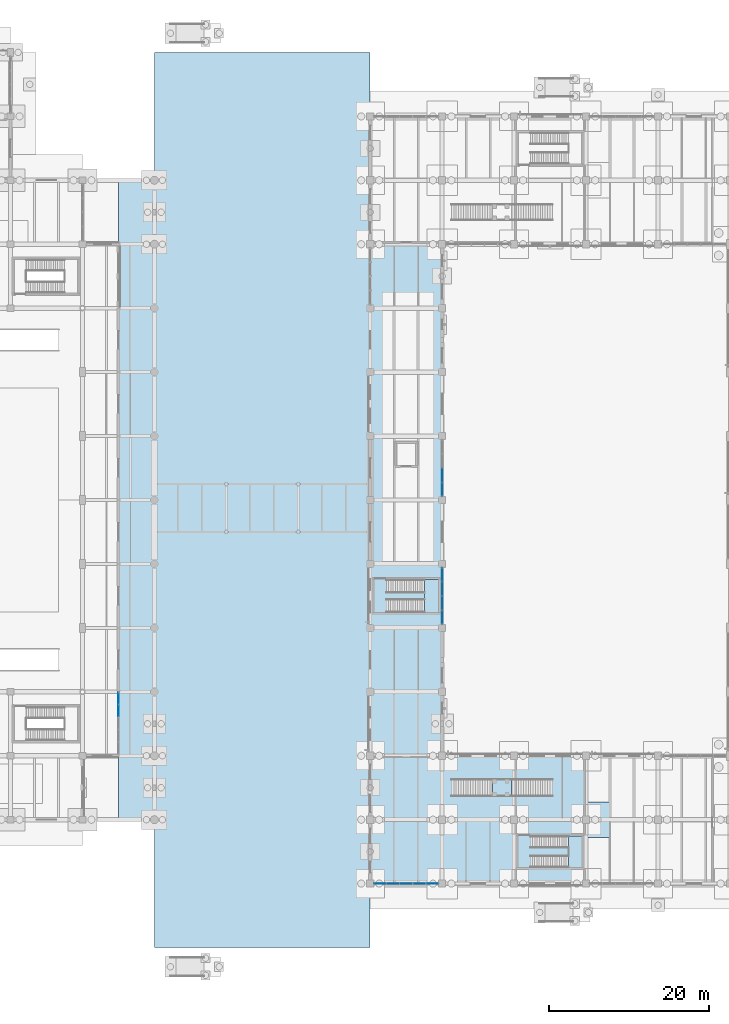
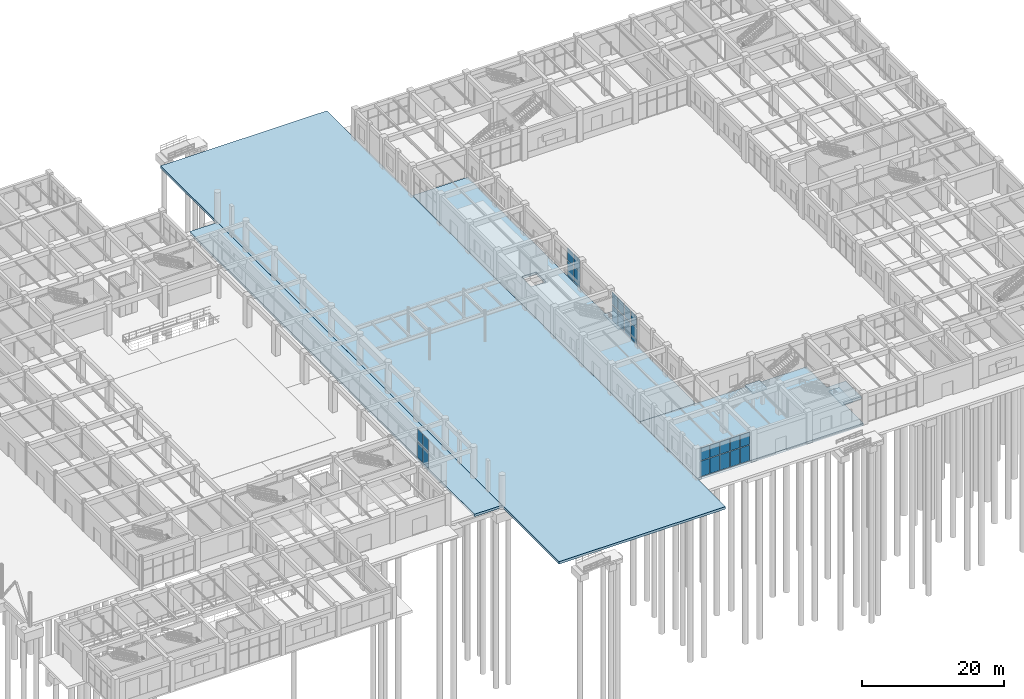
# One storey, part 83 of 121: 26 plates, 7 slabs, 7 elements without a shape of their own.
"""IFC4 building model written with IfcOpenShell, lengths in metres."""

from ifc_helpers import new_model, si_unit, derived_unit, direction, frame, origin, origin_2d, place, context, subcontext, project, spatial, polyline, rectangle, outline, extrude, material, layer, layer_set, type_object, element, aggregate, save


model = new_model("IFC4")

# Units and contexts
model_context = context("Model", 3, precision=1e-05, world=origin(), true_north=direction((0.0, 1.0)))
body_context = subcontext(model_context, "Body", "Model", "MODEL_VIEW")
ifc_project = project(units=[si_unit("LENGTHUNIT", "METRE"), si_unit("AREAUNIT", "SQUARE_METRE"), si_unit("VOLUMEUNIT", "CUBIC_METRE"), si_unit("PLANEANGLEUNIT", "RADIAN"), si_unit("MASSUNIT", "GRAM", prefix="KILO"), derived_unit("THERMALTRANSMITTANCEUNIT", [(si_unit("MASSUNIT", "GRAM", prefix="KILO"), 1), (si_unit("TIMEUNIT", "SECOND"), -3), (si_unit("THERMODYNAMICTEMPERATUREUNIT", "KELVIN"), -1)])], contexts=[model_context])

# Site, building, storey
site_placement = place(None, origin())
site = spatial("IfcSite", under=ifc_project, at=site_placement, CompositionType="ELEMENT")
building_placement = place(site_placement, origin())
building = spatial("IfcBuilding", under=site, at=building_placement, Name="Zhenchuan Archway Interchange", CompositionType="ELEMENT")
storey_placement = place(building_placement, origin())
storey = spatial("IfcBuildingStorey", under=building, at=storey_placement, Name="L00", CompositionType="ELEMENT", Elevation=0.0)

# Curtain wall, plates
ifc_material_1 = material(Name="Anodised Aluminium", Category="aluminium")
curtain_wall_type_1 = type_object("IfcCurtainWallType", Name="CW_UNIT_1", PredefinedType="NOTDEFINED", material=ifc_material_1)
curtain_wall_1_placement = place(storey_placement, origin())
curtain_wall_1 = element("IfcCurtainWall", 1, at=curtain_wall_1_placement, inside=storey, type_object=curtain_wall_type_1, Name="Unitised curtain wall CW:L00:008", PredefinedType="NOTDEFINED")
ifc_material_2 = material(Name="Double Low-E Insulated Glazing", Category="glass")
ifc_layer_1 = layer(ifc_material_2, 0.031982421875)
ifc_layer_set_1 = layer_set([ifc_layer_1], Name="Double Low-E Insulated Glazing")
plate_type_1 = type_object("IfcPlateType", Name="CW_GLZ_5", PredefinedType="CURTAIN_PANEL", material=ifc_layer_set_1)
plate_1_placement = place(storey_placement, frame((67.5, 31.2080078125, 0.080078125), z_axis=(0.0, 0.0, 1.0), x_axis=(0.0, -1.0, 0.0)))
plate_1 = element("IfcPlate", 2, at=plate_1_placement, type_object=plate_type_1, Name="CW:L00:008 lower glazing panel 0", PredefinedType="CURTAIN_PANEL", context=body_context, shape_type="SweptSolid", body=[
    extrude(rectangle(XDim=1.404052734375, YDim=0.028076171875, at=origin_2d()), origin(), (0.0, 0.0, 1.0), 2.64306640625),
])
plate_2_placement = place(storey_placement, frame((67.5, 29.654052734375, 0.080078125), z_axis=(0.0, 0.0, 1.0), x_axis=(0.0, -1.0, 0.0)))
plate_2 = element("IfcPlate", 3, at=plate_2_placement, type_object=plate_type_1, Name="CW:L00:008 lower glazing panel 1", PredefinedType="CURTAIN_PANEL", context=body_context, shape_type="SweptSolid", body=[
    extrude(rectangle(XDim=1.424072265625, YDim=0.028076171875, at=origin_2d()), origin(), (0.0, 0.0, 1.0), 2.64306640625),
])

curtain_wall_type_2 = type_object("IfcCurtainWallType", Name="CW_UNIT_3", PredefinedType="NOTDEFINED", material=ifc_material_1)
curtain_wall_2_placement = place(storey_placement, origin())
curtain_wall_2 = element("IfcCurtainWall", 4, at=curtain_wall_2_placement, inside=storey, type_object=curtain_wall_type_2, Name="Unitised curtain wall CW:L00:018", PredefinedType="NOTDEFINED")
plate_3_placement = place(storey_placement, frame((106.755615234375, 8.0, 0.080078125), z_axis=(0.0, 0.0, 1.0), x_axis=(-1.0, 0.0, 0.0)))
plate_3 = element("IfcPlate", 5, at=plate_3_placement, type_object=plate_type_1, Name="CW:L00:018 lower glazing panel 0", PredefinedType="CURTAIN_PANEL", context=body_context, shape_type="SweptSolid", body=[
    extrude(rectangle(XDim=1.472900390625, YDim=0.028076171875, at=origin_2d()), origin(), (0.0, 0.0, 1.0), 2.64306640625),
])
plate_4_placement = place(storey_placement, frame((105.1328125, 8.0, 0.080078125), z_axis=(0.0, 0.0, 1.0), x_axis=(-1.0, 0.0, 0.0)))
plate_4 = element("IfcPlate", 6, at=plate_4_placement, type_object=plate_type_1, Name="CW:L00:018 lower glazing panel 1", PredefinedType="CURTAIN_PANEL", context=body_context, shape_type="SweptSolid", body=[
    extrude(rectangle(XDim=1.492919921875, YDim=0.028076171875, at=origin_2d()), origin(), (0.0, 0.0, 1.0), 2.64306640625),
])
plate_5_placement = place(storey_placement, frame((103.5, 8.0, 0.080078125), z_axis=(0.0, 0.0, 1.0), x_axis=(-1.0, 0.0, 0.0)))
plate_5 = element("IfcPlate", 7, at=plate_5_placement, type_object=plate_type_1, Name="CW:L00:018 lower glazing panel 2", PredefinedType="CURTAIN_PANEL", context=body_context, shape_type="SweptSolid", body=[
    extrude(rectangle(XDim=1.492919921875, YDim=0.028076171875, at=origin_2d()), origin(), (0.0, 0.0, 1.0), 2.64306640625),
])
plate_6_placement = place(storey_placement, frame((101.8671875, 8.0, 0.080078125), z_axis=(0.0, 0.0, 1.0), x_axis=(-1.0, 0.0, 0.0)))
plate_6 = element("IfcPlate", 8, at=plate_6_placement, type_object=plate_type_1, Name="CW:L00:018 lower glazing panel 3", PredefinedType="CURTAIN_PANEL", context=body_context, shape_type="SweptSolid", body=[
    extrude(rectangle(XDim=1.492919921875, YDim=0.028076171875, at=origin_2d()), origin(), (0.0, 0.0, 1.0), 2.64306640625),
])
plate_7_placement = place(storey_placement, frame((100.244384765625, 8.0, 0.080078125), z_axis=(0.0, 0.0, 1.0), x_axis=(-1.0, 0.0, 0.0)))
plate_7 = element("IfcPlate", 9, at=plate_7_placement, type_object=plate_type_1, Name="CW:L00:018 lower glazing panel 4", PredefinedType="CURTAIN_PANEL", context=body_context, shape_type="SweptSolid", body=[
    extrude(rectangle(XDim=1.472900390625, YDim=0.028076171875, at=origin_2d()), origin(), (0.0, 0.0, 1.0), 2.64306640625),
])

curtain_wall_type_3 = type_object("IfcCurtainWallType", Name="CW_UNIT_2", PredefinedType="NOTDEFINED", material=ifc_material_1)
curtain_wall_3_placement = place(storey_placement, origin())
curtain_wall_3 = element("IfcCurtainWall", 10, at=curtain_wall_3_placement, inside=storey, type_object=curtain_wall_type_3, Name="Unitised curtain wall CW:L00:025", PredefinedType="NOTDEFINED")
plate_8_placement = place(storey_placement, frame((108.0, 59.1044921875, 0.080078125), z_axis=(0.0, 0.0, 1.0), x_axis=(0.0, -1.0, 0.0)))
plate_8 = element("IfcPlate", 11, at=plate_8_placement, type_object=plate_type_1, Name="CW:L00:025 lower glazing panel 2", PredefinedType="CURTAIN_PANEL", context=body_context, shape_type="SweptSolid", body=[
    extrude(rectangle(XDim=1.65087890625, YDim=0.028076171875, at=origin_2d()), origin(), (0.0, 0.0, 1.0), 2.64306640625),
])
plate_9_placement = place(storey_placement, frame((108.0, 57.323486328125, 0.080078125), z_axis=(0.0, 0.0, 1.0), x_axis=(0.0, -1.0, 0.0)))
plate_9 = element("IfcPlate", 12, at=plate_9_placement, type_object=plate_type_1, Name="CW:L00:025 lower glazing panel 3", PredefinedType="CURTAIN_PANEL", context=body_context, shape_type="SweptSolid", body=[
    extrude(rectangle(XDim=1.631103515625, YDim=0.028076171875, at=origin_2d()), origin(), (0.0, 0.0, 1.0), 2.64306640625),
])

curtain_wall_4_placement = place(storey_placement, origin())
curtain_wall_4 = element("IfcCurtainWall", 13, at=curtain_wall_4_placement, inside=storey, type_object=curtain_wall_type_2, Name="Unitised curtain wall CW:L00:026", PredefinedType="NOTDEFINED")
plate_10_placement = place(storey_placement, frame((108.0, 46.676513671875, 0.080078125), z_axis=(0.0, 0.0, 1.0), x_axis=(0.0, -1.0, 0.0)))
plate_10 = element("IfcPlate", 14, at=plate_10_placement, type_object=plate_type_1, Name="CW:L00:026 lower glazing panel 0", PredefinedType="CURTAIN_PANEL", context=body_context, shape_type="SweptSolid", body=[
    extrude(rectangle(XDim=1.631103515625, YDim=0.028076171875, at=origin_2d()), origin(), (0.0, 0.0, 1.0), 2.64306640625),
])
plate_11_placement = place(storey_placement, frame((108.0, 44.8955078125, 0.080078125), z_axis=(0.0, 0.0, 1.0), x_axis=(0.0, -1.0, 0.0)))
plate_11 = element("IfcPlate", 15, at=plate_11_placement, type_object=plate_type_1, Name="CW:L00:026 lower glazing panel 1", PredefinedType="CURTAIN_PANEL", context=body_context, shape_type="SweptSolid", body=[
    extrude(rectangle(XDim=1.65087890625, YDim=0.028076171875, at=origin_2d()), origin(), (0.0, 0.0, 1.0), 2.64306640625),
])
plate_12_placement = place(storey_placement, frame((108.0, 43.1044921875, 0.080078125), z_axis=(0.0, 0.0, 1.0), x_axis=(0.0, -1.0, 0.0)))
plate_12 = element("IfcPlate", 16, at=plate_12_placement, type_object=plate_type_1, Name="CW:L00:026 lower glazing panel 2", PredefinedType="CURTAIN_PANEL", context=body_context, shape_type="SweptSolid", body=[
    extrude(rectangle(XDim=1.65087890625, YDim=0.028076171875, at=origin_2d()), origin(), (0.0, 0.0, 1.0), 2.64306640625),
])
plate_13_placement = place(storey_placement, frame((108.0, 41.323486328125, 0.080078125), z_axis=(0.0, 0.0, 1.0), x_axis=(0.0, -1.0, 0.0)))
plate_13 = element("IfcPlate", 17, at=plate_13_placement, type_object=plate_type_1, Name="CW:L00:026 lower glazing panel 3", PredefinedType="CURTAIN_PANEL", context=body_context, shape_type="SweptSolid", body=[
    extrude(rectangle(XDim=1.631103515625, YDim=0.028076171875, at=origin_2d()), origin(), (0.0, 0.0, 1.0), 2.64306640625),
])

# Plate
ifc_layer_2 = layer(ifc_material_2, 0.02197265625)
ifc_layer_set_2 = layer_set([ifc_layer_2], Name="Double Low-E Insulated Glazing")
plate_type_2 = type_object("IfcPlateType", Name="CW_GLZ_6", PredefinedType="CURTAIN_PANEL", material=ifc_layer_set_2)
plate_14_placement = place(storey_placement, frame((67.5, 31.2080078125, 2.84326171875), z_axis=(0.0, 0.0, 1.0), x_axis=(0.0, -1.0, 0.0)))
plate_14 = element("IfcPlate", 18, at=plate_14_placement, type_object=plate_type_2, Name="CW:L00:008 upper glazing panel 0", PredefinedType="CURTAIN_PANEL", context=body_context, shape_type="SweptSolid", body=[
    extrude(rectangle(XDim=1.404052734375, YDim=0.02587890625, at=origin_2d()), origin(), (0.0, 0.0, 1.0), 2.136962890625),
])

plate_15_placement = place(storey_placement, frame((67.5, 29.654052734375, 2.84326171875), z_axis=(0.0, 0.0, 1.0), x_axis=(0.0, -1.0, 0.0)))
plate_15 = element("IfcPlate", 19, at=plate_15_placement, type_object=plate_type_2, Name="CW:L00:008 upper glazing panel 1", PredefinedType="CURTAIN_PANEL", context=body_context, shape_type="SweptSolid", body=[
    extrude(rectangle(XDim=1.424072265625, YDim=0.02587890625, at=origin_2d()), origin(), (0.0, 0.0, 1.0), 2.136962890625),
])

aggregate(curtain_wall_1, [plate_1, plate_14, plate_2, plate_15])

plate_16_placement = place(storey_placement, frame((106.755615234375, 8.0, 2.84326171875), z_axis=(0.0, 0.0, 1.0), x_axis=(-1.0, 0.0, 0.0)))
plate_16 = element("IfcPlate", 20, at=plate_16_placement, type_object=plate_type_2, Name="CW:L00:018 upper glazing panel 0", PredefinedType="CURTAIN_PANEL", context=body_context, shape_type="SweptSolid", body=[
    extrude(rectangle(XDim=1.472900390625, YDim=0.02587890625, at=origin_2d()), origin(), (0.0, 0.0, 1.0), 2.136962890625),
])

plate_17_placement = place(storey_placement, frame((105.1328125, 8.0, 2.84326171875), z_axis=(0.0, 0.0, 1.0), x_axis=(-1.0, 0.0, 0.0)))
plate_17 = element("IfcPlate", 21, at=plate_17_placement, type_object=plate_type_2, Name="CW:L00:018 upper glazing panel 1", PredefinedType="CURTAIN_PANEL", context=body_context, shape_type="SweptSolid", body=[
    extrude(rectangle(XDim=1.492919921875, YDim=0.02587890625, at=origin_2d()), origin(), (0.0, 0.0, 1.0), 2.136962890625),
])

plate_18_placement = place(storey_placement, frame((103.5, 8.0, 2.84326171875), z_axis=(0.0, 0.0, 1.0), x_axis=(-1.0, 0.0, 0.0)))
plate_18 = element("IfcPlate", 22, at=plate_18_placement, type_object=plate_type_2, Name="CW:L00:018 upper glazing panel 2", PredefinedType="CURTAIN_PANEL", context=body_context, shape_type="SweptSolid", body=[
    extrude(rectangle(XDim=1.492919921875, YDim=0.02587890625, at=origin_2d()), origin(), (0.0, 0.0, 1.0), 2.136962890625),
])

plate_19_placement = place(storey_placement, frame((101.8671875, 8.0, 2.84326171875), z_axis=(0.0, 0.0, 1.0), x_axis=(-1.0, 0.0, 0.0)))
plate_19 = element("IfcPlate", 23, at=plate_19_placement, type_object=plate_type_2, Name="CW:L00:018 upper glazing panel 3", PredefinedType="CURTAIN_PANEL", context=body_context, shape_type="SweptSolid", body=[
    extrude(rectangle(XDim=1.492919921875, YDim=0.02587890625, at=origin_2d()), origin(), (0.0, 0.0, 1.0), 2.136962890625),
])

plate_20_placement = place(storey_placement, frame((100.244384765625, 8.0, 2.84326171875), z_axis=(0.0, 0.0, 1.0), x_axis=(-1.0, 0.0, 0.0)))
plate_20 = element("IfcPlate", 24, at=plate_20_placement, type_object=plate_type_2, Name="CW:L00:018 upper glazing panel 4", PredefinedType="CURTAIN_PANEL", context=body_context, shape_type="SweptSolid", body=[
    extrude(rectangle(XDim=1.472900390625, YDim=0.02587890625, at=origin_2d()), origin(), (0.0, 0.0, 1.0), 2.136962890625),
])

aggregate(curtain_wall_2, [plate_3, plate_16, plate_4, plate_17, plate_5, plate_18, plate_6, plate_19, plate_7, plate_20])

plate_21_placement = place(storey_placement, frame((108.0, 59.1044921875, 2.84326171875), z_axis=(0.0, 0.0, 1.0), x_axis=(0.0, -1.0, 0.0)))
plate_21 = element("IfcPlate", 25, at=plate_21_placement, type_object=plate_type_2, Name="CW:L00:025 upper glazing panel 2", PredefinedType="CURTAIN_PANEL", context=body_context, shape_type="SweptSolid", body=[
    extrude(rectangle(XDim=1.65087890625, YDim=0.02587890625, at=origin_2d()), origin(), (0.0, 0.0, 1.0), 2.136962890625),
])

plate_22_placement = place(storey_placement, frame((108.0, 57.323486328125, 2.84326171875), z_axis=(0.0, 0.0, 1.0), x_axis=(0.0, -1.0, 0.0)))
plate_22 = element("IfcPlate", 26, at=plate_22_placement, type_object=plate_type_2, Name="CW:L00:025 upper glazing panel 3", PredefinedType="CURTAIN_PANEL", context=body_context, shape_type="SweptSolid", body=[
    extrude(rectangle(XDim=1.631103515625, YDim=0.02587890625, at=origin_2d()), origin(), (0.0, 0.0, 1.0), 2.136962890625),
])

aggregate(curtain_wall_3, [plate_8, plate_21, plate_9, plate_22])

plate_23_placement = place(storey_placement, frame((108.0, 46.676513671875, 2.84326171875), z_axis=(0.0, 0.0, 1.0), x_axis=(0.0, -1.0, 0.0)))
plate_23 = element("IfcPlate", 27, at=plate_23_placement, type_object=plate_type_2, Name="CW:L00:026 upper glazing panel 0", PredefinedType="CURTAIN_PANEL", context=body_context, shape_type="SweptSolid", body=[
    extrude(rectangle(XDim=1.631103515625, YDim=0.02587890625, at=origin_2d()), origin(), (0.0, 0.0, 1.0), 2.136962890625),
])

plate_24_placement = place(storey_placement, frame((108.0, 44.8955078125, 2.84326171875), z_axis=(0.0, 0.0, 1.0), x_axis=(0.0, -1.0, 0.0)))
plate_24 = element("IfcPlate", 28, at=plate_24_placement, type_object=plate_type_2, Name="CW:L00:026 upper glazing panel 1", PredefinedType="CURTAIN_PANEL", context=body_context, shape_type="SweptSolid", body=[
    extrude(rectangle(XDim=1.65087890625, YDim=0.02587890625, at=origin_2d()), origin(), (0.0, 0.0, 1.0), 2.136962890625),
])

plate_25_placement = place(storey_placement, frame((108.0, 43.1044921875, 2.84326171875), z_axis=(0.0, 0.0, 1.0), x_axis=(0.0, -1.0, 0.0)))
plate_25 = element("IfcPlate", 29, at=plate_25_placement, type_object=plate_type_2, Name="CW:L00:026 upper glazing panel 2", PredefinedType="CURTAIN_PANEL", context=body_context, shape_type="SweptSolid", body=[
    extrude(rectangle(XDim=1.65087890625, YDim=0.02587890625, at=origin_2d()), origin(), (0.0, 0.0, 1.0), 2.136962890625),
])

plate_26_placement = place(storey_placement, frame((108.0, 41.323486328125, 2.84326171875), z_axis=(0.0, 0.0, 1.0), x_axis=(0.0, -1.0, 0.0)))
plate_26 = element("IfcPlate", 30, at=plate_26_placement, type_object=plate_type_2, Name="CW:L00:026 upper glazing panel 3", PredefinedType="CURTAIN_PANEL", context=body_context, shape_type="SweptSolid", body=[
    extrude(rectangle(XDim=1.631103515625, YDim=0.02587890625, at=origin_2d()), origin(), (0.0, 0.0, 1.0), 2.136962890625),
])

aggregate(curtain_wall_4, [plate_10, plate_23, plate_11, plate_24, plate_12, plate_25, plate_13, plate_26])

# Slabs
ifc_material_3 = material(Name="Concrete C40", Category="concrete")
ifc_layer_3 = layer(ifc_material_3, 0.419921875)
ifc_layer_set_3 = layer_set([ifc_layer_3], Name="Concrete C40")
slab_type_1 = type_object("IfcSlabType", Name="SLB_FLR_420", PredefinedType="FLOOR", material=ifc_layer_set_3)
slab_1_placement = place(storey_placement, frame((0.0, 0.0, -0.419921875)))
element("IfcSlab", 31, at=slab_1_placement, inside=storey, type_object=slab_type_1, Name="Structural slab L00 OPS-S1", PredefinedType="FLOOR", context=body_context, shape_type="SweptSolid", body=[
    extrude(outline(polyline([(126.0, 8.0), (99.0, 8.0), (99.0, 24.0), (126.0, 24.0), (126.0, 18.197998046875), (128.998046875, 18.197998046875), (128.998046875, 13.802001953125), (126.0, 13.802001953125), (126.0, 8.0)])), origin(), (0.0, 0.0, 1.0), 0.419921875),
])
slab_2_placement = place(storey_placement, frame((0.0, 0.0, -0.419921875)))
element("IfcSlab", 32, at=slab_2_placement, inside=storey, type_object=slab_type_1, Name="Structural slab L00 OPS-GAL", PredefinedType="FLOOR", context=body_context, shape_type="SweptSolid", body=[
    extrude(outline(polyline([(99.0, 24.0), (99.0, 88.0), (108.0, 88.0), (108.0, 24.0), (99.0, 24.0)]), holes=[polyline([(104.679931640625, 60.320068359375), (104.679931640625, 63.080078125), (102.320068359375, 63.080078125), (102.320068359375, 60.320068359375), (104.679931640625, 60.320068359375)])]), origin(), (0.0, 0.0, 1.0), 0.419921875),
])
slab_3_placement = place(storey_placement, frame((0.0, 0.0, -0.419921875)))
element("IfcSlab", 33, at=slab_3_placement, inside=storey, type_object=slab_type_1, Name="Exterior structural deck slab ARC-EAST", PredefinedType="FLOOR", context=body_context, shape_type="SweptSolid", body=[
    extrude(outline(polyline([(67.5, 96.0), (72.0, 96.0), (72.0, 16.0), (67.5, 16.0), (67.5, 23.9970703125), (67.5029296875, 23.9970703125), (67.5029296875, 88.0029296875), (67.5, 88.0029296875), (67.5, 96.0)])), origin(), (0.0, 0.0, 1.0), 0.419921875),
])
slab_4_placement = place(storey_placement, frame((0.0, 0.0, -0.419921875)))
element("IfcSlab", 34, at=slab_4_placement, inside=storey, type_object=slab_type_1, Name="Exterior structural deck slab B1-LID-EAST", PredefinedType="FLOOR", context=body_context, shape_type="SweptSolid", body=[
    extrude(outline(polyline([(99.0, 0.0), (72.0, 0.0), (72.0, 15.998046875), (72.001953125, 15.998046875), (72.001953125, 96.001953125), (72.0, 96.001953125), (72.0, 112.0), (99.0, 112.0), (99.0, 104.0029296875), (98.9970703125, 104.0029296875), (98.9970703125, 7.9970703125), (99.0, 7.9970703125), (99.0, 0.0)])), origin(), (0.0, 0.0, 1.0), 0.419921875),
])

# Stair, slab
ifc_material_4 = material(Name="Concrete C35", Category="concrete")
stair_type_1 = type_object("IfcStairType", Name="STR_HALF_1450", PredefinedType="HALF_TURN_STAIR", material=ifc_material_4)
stair_1_placement = place(storey_placement, origin())
stair_1 = element("IfcStair", 35, at=stair_1_placement, inside=storey, type_object=stair_type_1, Name="Stair ST-O5 (L00)", PredefinedType="HALF_TURN_STAIR")
ifc_layer_4 = layer(ifc_material_4, 0.199951171875)
ifc_layer_set_4 = layer_set([ifc_layer_4], Name="Concrete C35")
slab_type_2 = type_object("IfcSlabType", Name="SLB_LANDING_200", PredefinedType="LANDING", material=ifc_layer_set_4)
slab_5_placement = place(storey_placement, frame((0.0, 0.0, 2.5)))
slab_5 = element("IfcSlab", 36, at=slab_5_placement, type_object=slab_type_2, Name="Stair ST-O5 half-landing (L00)", PredefinedType="LANDING", context=body_context, shape_type="SweptSolid", body=[
    extrude(outline(polyline([(123.804931640625, 10.02294921875), (125.4970703125, 10.02294921875), (125.4970703125, 13.97705078125), (123.804931640625, 13.97705078125), (123.804931640625, 10.02294921875)])), origin(), (0.0, 0.0, 1.0), 0.199951171875),
])
aggregate(stair_1, [slab_5])

stair_type_2 = type_object("IfcStairType", Name="STR_HALF_1650", PredefinedType="HALF_TURN_STAIR", material=ifc_material_4)
stair_2_placement = place(storey_placement, origin())
stair_2 = element("IfcStair", 37, at=stair_2_placement, inside=storey, type_object=stair_type_2, Name="Stair ST-BR (L00)", PredefinedType="HALF_TURN_STAIR")
slab_6_placement = place(storey_placement, frame((0.0, 0.0, 2.5)))
slab_6 = element("IfcSlab", 38, at=slab_6_placement, type_object=slab_type_2, Name="Stair ST-BR half-landing (L00)", PredefinedType="LANDING", context=body_context, shape_type="SweptSolid", body=[
    extrude(outline(polyline([(105.784912109375, 41.923095703125), (107.51708984375, 41.923095703125), (107.51708984375, 46.076904296875), (105.784912109375, 46.076904296875), (105.784912109375, 41.923095703125)])), origin(), (0.0, 0.0, 1.0), 0.199951171875),
])
aggregate(stair_2, [slab_6])

stair_type_3 = type_object("IfcStairType", Name="STR_MON_2150", PredefinedType="STRAIGHT_RUN_STAIR", material=ifc_material_4)
stair_3_placement = place(storey_placement, origin())
stair_3 = element("IfcStair", 39, at=stair_3_placement, inside=storey, type_object=stair_type_3, Name="Monumental public stair ST-P5", PredefinedType="STRAIGHT_RUN_STAIR")
ifc_layer_5 = layer(ifc_material_4, 0.219970703125)
ifc_layer_set_5 = layer_set([ifc_layer_5], Name="Concrete C35")
slab_type_3 = type_object("IfcSlabType", Name="SLB_LANDING_220", PredefinedType="LANDING", material=ifc_layer_set_5)
slab_7_placement = place(storey_placement, frame((0.0, 0.0, 2.47998046875)))
slab_7 = element("IfcSlab", 40, at=slab_7_placement, type_object=slab_type_3, Name="Monumental stair ST-P5 intermediate landing", PredefinedType="LANDING", context=body_context, shape_type="SweptSolid", body=[
    extrude(outline(polyline([(114.280029296875, 18.925048828125), (116.679931640625, 18.925048828125), (116.679931640625, 21.074951171875), (114.280029296875, 21.074951171875), (114.280029296875, 18.925048828125)])), origin(), (0.0, 0.0, 1.0), 0.219970703125),
])
aggregate(stair_3, [slab_7])

save(model, "model.ifc")
